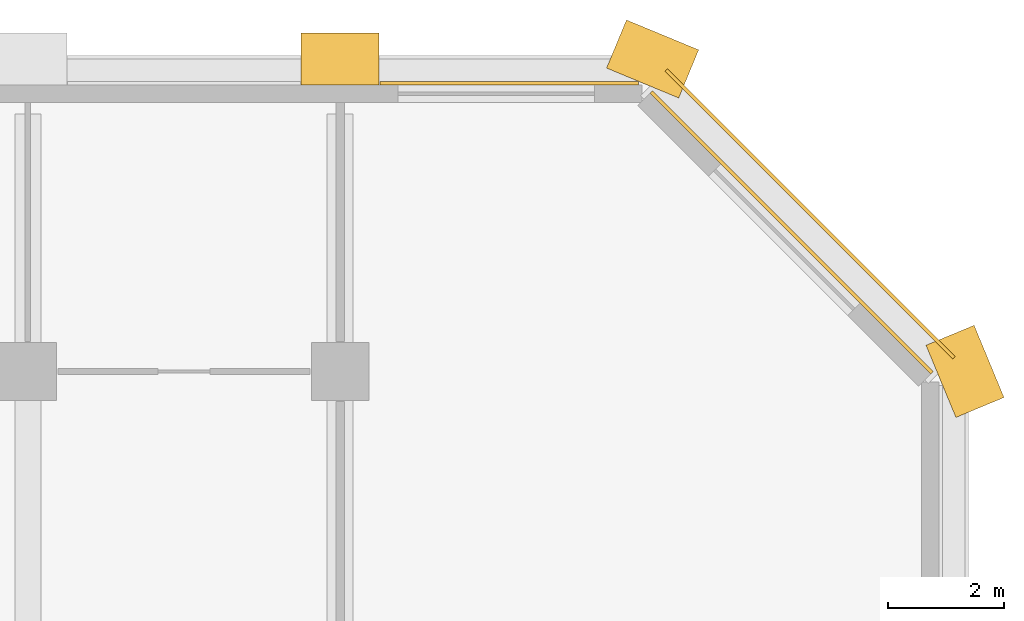
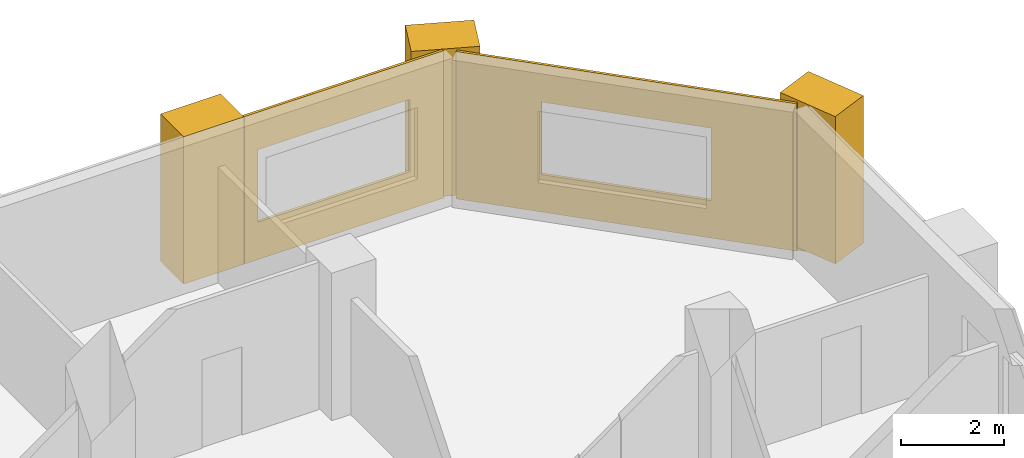
# One storey, part 11 of 11: 6 coverings.
"""IFC4 building model written with IfcOpenShell, lengths in metres."""

from ifc_helpers import new_model, si_unit, direction, frame, frame_2d, origin, place, context, subcontext, project, spatial, polyline, rectangle, outline, extrude, material, layer, layer_set, type_object, element, save


model = new_model("IFC4")

# Units and contexts
model_context = context("Model", 3, precision=1e-05, world=origin(), true_north=direction((0.0, 1.0)))
body_context = subcontext(model_context, "Body", "Model", "MODEL_VIEW")
ifc_project = project(units=[si_unit("LENGTHUNIT", "METRE"), si_unit("AREAUNIT", "SQUARE_METRE"), si_unit("VOLUMEUNIT", "CUBIC_METRE"), si_unit("PLANEANGLEUNIT", "RADIAN"), si_unit("MASSUNIT", "GRAM", prefix="KILO")], contexts=[model_context])

# Site, building, storey
site_placement = place(None, origin())
site = spatial("IfcSite", under=ifc_project, at=site_placement, CompositionType="ELEMENT")
building_placement = place(site_placement, origin())
building = spatial("IfcBuilding", under=site, at=building_placement, Name="Tabaq Tower and Sports Hall", CompositionType="ELEMENT")
storey_placement = place(building_placement, frame((0.0, 0.0, 80.199951171875)))
storey = spatial("IfcBuildingStorey", under=building, at=storey_placement, Name="L18", CompositionType="ELEMENT", Elevation=80.199951171875)

# Coverings
ifc_material_1 = material(Name="Precast concrete C60/75", Category="concrete")
ifc_layer_1 = layer(ifc_material_1, 0.06005859375)
ifc_layer_set_1 = layer_set([ifc_layer_1], Name="Edge beam cladding 60")
covering_type_1 = type_object("IfcCoveringType", Name="Edge beam cladding 60", PredefinedType="CLADDING", material=ifc_layer_set_1)
covering_1_placement = place(storey_placement, frame((48.41015625, 43.432373046875, -0.300048828125), z_axis=(0.0, 0.0, 1.0), x_axis=(-0.707106781187, 0.707106781187, 0.0)))
element("IfcCovering", 1, at=covering_1_placement, inside=storey, type_object=covering_type_1, Name="Edge beam cladding L18 3", PredefinedType="CLADDING", context=body_context, shape_type="SweptSolid", body=[
    extrude(rectangle(XDim=7.03955078125, YDim=0.06005859375, at=frame_2d((3.519775390625, 0.0))), origin(), (0.0, 0.0, 1.0), 0.300048828125),
])
ifc_material_2 = material(Name="White precast concrete C60/75", Category="concrete")
covering_type_2 = type_object("IfcCoveringType", Name="Pier cladding hung 1350x900", PredefinedType="CLADDING", material=ifc_material_2)
for number, where, z_axis, x_axis, name in (
    (2, (38.47509765625, 48.60009765625, 0.0), (0.0, 0.0, 1.0), (-1.0, 0.0, 0.0), "Hung pier cladding 7/9"),
    (3, (43.82373046875, 48.341796875, 0.0), (0.0, 0.0, 1.0), (-0.923893411637, 0.382649923473, 0.0), "Hung pier cladding 8/9"),
    (4, (48.8583984375, 42.576416015625, 0.0), (0.0, 0.0, 1.0), (-0.382649923473, 0.923893411637, 0.0), "Hung pier cladding 9/8"),
):
    element("IfcCovering", number, at=place(storey_placement, frame(where, z_axis=z_axis, x_axis=x_axis)), inside=storey, type_object=covering_type_2, Name=name, PredefinedType="CLADDING", context=body_context, shape_type="SweptSolid", body=[
        extrude(rectangle(XDim=1.35009765625, YDim=0.89990234375, at=frame_2d((0.675048828125, 0.0))), origin(), (0.0, 0.0, 1.0), 3.5),
    ])
ifc_material_3 = material(Name="Precast concrete C60/75", Category="concrete")
ifc_layer_2 = layer(ifc_material_3, 0.06005859375)
ifc_layer_set_2 = layer_set([ifc_layer_2], Name="White precast cladding panel 60 C60/75")
covering_type_3 = type_object("IfcCoveringType", Name="White precast cladding panel 60 C60/75", PredefinedType="CLADDING", material=ifc_layer_set_2)
covering_2_placement = place(storey_placement, frame((48.0283203125, 43.177734375, 0.0), z_axis=(0.0, 0.0, 1.0), x_axis=(-0.707106781187, 0.707106781187, 0.0)))
element("IfcCovering", 5, at=covering_2_placement, inside=storey, type_object=covering_type_3, Name="White precast cladding panel L18 wall03", PredefinedType="CLADDING", context=body_context, shape_type="SweptSolid", body=[
    extrude(outline(polyline([(0.0, 0.0), (6.85986328125, 0.0), (6.85986328125, 3.5), (0.0, 3.5), (0.0, 0.0)]), holes=[polyline([(1.7197265625, 0.89013671875), (1.7197265625, 2.610107421875), (5.139892578125, 2.610107421875), (5.139892578125, 0.89013671875), (1.7197265625, 0.89013671875)])]), frame((0.0, 0.030029296875, 0.0), z_axis=(0.0, -1.0, 0.0), x_axis=(1.0, 0.0, 0.0)), (0.0, 0.0, 1.0), 0.06005859375),
])
covering_3_placement = place(storey_placement, frame((42.956787109375, 48.179931640625, 0.0), z_axis=(0.0, 0.0, 1.0), x_axis=(-1.0, 0.0, 0.0)))
element("IfcCovering", 6, at=covering_3_placement, inside=storey, type_object=covering_type_3, Name="White precast cladding panel L18 wall04", PredefinedType="CLADDING", context=body_context, shape_type="SweptSolid", body=[
    extrude(outline(polyline([(0.0, 0.0), (4.4716796875, 0.0), (4.4716796875, 3.5), (0.0, 3.5), (0.0, 0.0)]), holes=[polyline([(0.746826171875, 0.89013671875), (0.746826171875, 2.610107421875), (4.166748046875, 2.610107421875), (4.166748046875, 0.89013671875), (0.746826171875, 0.89013671875)])]), frame((0.0, 0.030029296875, 0.0), z_axis=(0.0, -1.0, 0.0), x_axis=(1.0, 0.0, 0.0)), (0.0, 0.0, 1.0), 0.06005859375),
])

save(model, "model.ifc")
